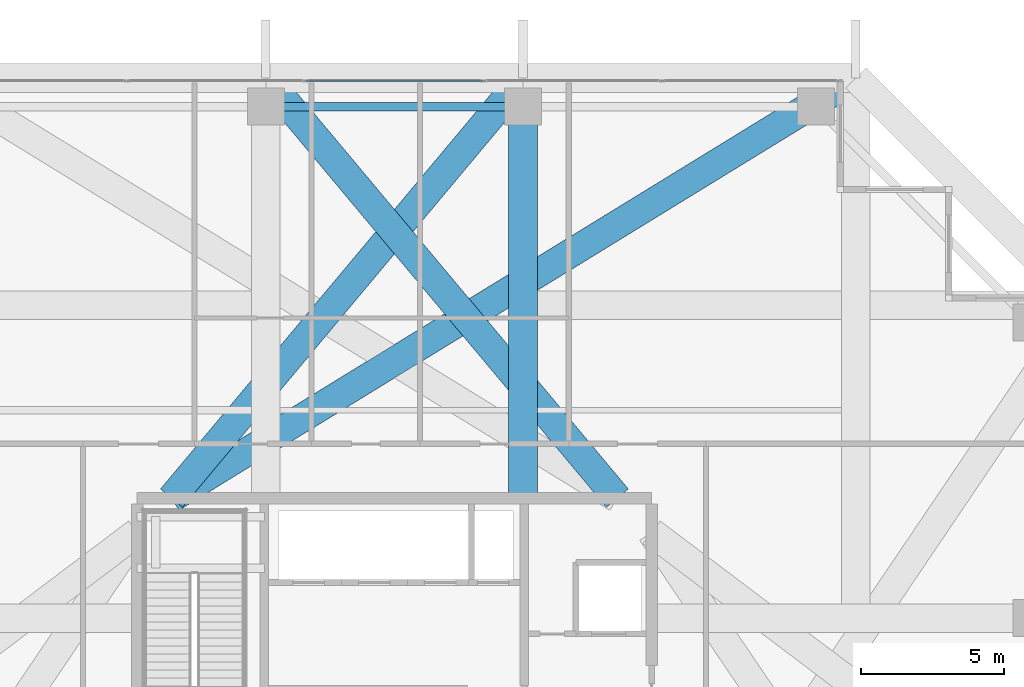
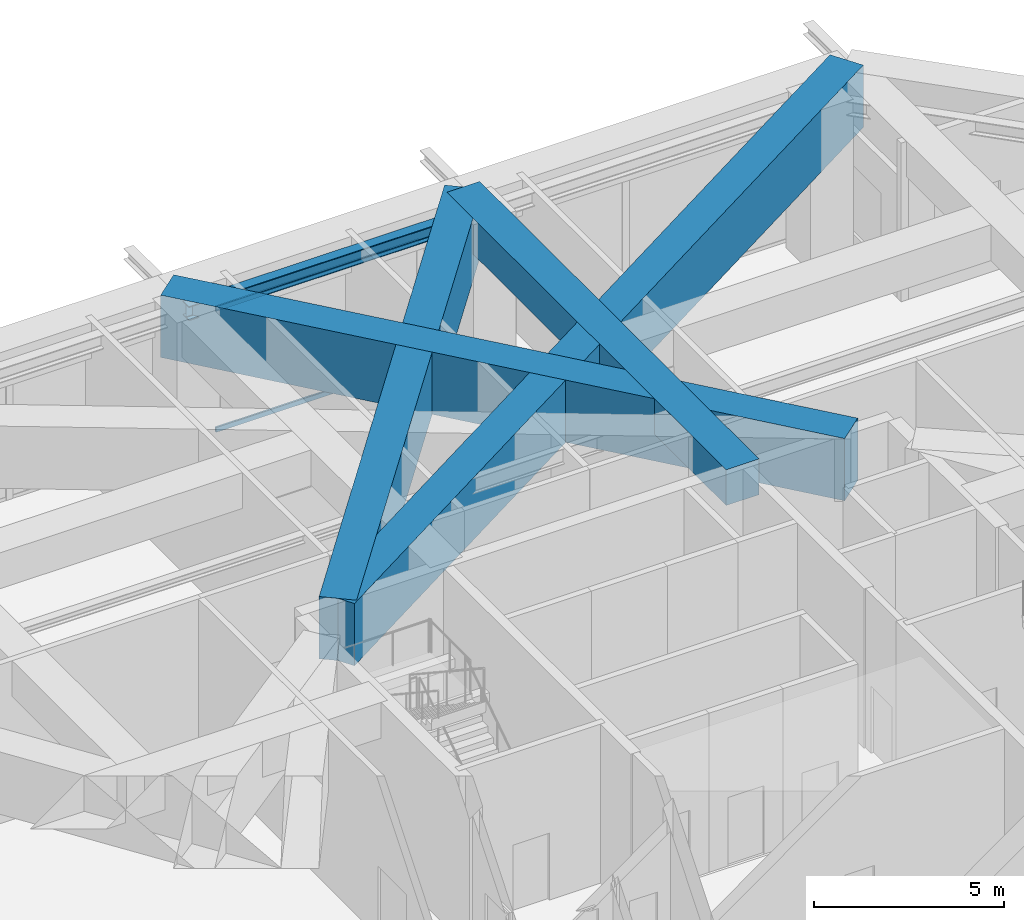
# One storey, part 23 of 38: 5 beams, 2 members, 1 element without a shape of its own.
"""IFC4 building model written with IfcOpenShell, lengths in metres."""

from ifc_helpers import new_model, si_unit, direction, frame, origin, origin_2d, place, context, subcontext, project, spatial, rectangle, hollow_rectangle, i_section, extrude, source, transform, mapped, material, layer, layer_set, material_profile, profile_set, type_object, element, aggregate, save


model = new_model("IFC4")

# Units and contexts
model_context = context("Model", 3, precision=1e-05, world=origin(), true_north=direction((0.0, 1.0)))
body_context = subcontext(model_context, "Body", "Model", "MODEL_VIEW")
ifc_project = project(units=[si_unit("LENGTHUNIT", "METRE"), si_unit("AREAUNIT", "SQUARE_METRE"), si_unit("VOLUMEUNIT", "CUBIC_METRE"), si_unit("PLANEANGLEUNIT", "RADIAN"), si_unit("MASSUNIT", "GRAM", prefix="KILO")], contexts=[model_context])

# Site, building, storey
site_placement = place(None, origin())
site = spatial("IfcSite", under=ifc_project, at=site_placement, CompositionType="ELEMENT")
building_placement = place(site_placement, origin())
building = spatial("IfcBuilding", under=site, at=building_placement, Name="Serunith Strait Residences", CompositionType="ELEMENT")
storey_placement = place(building_placement, frame((0.0, 0.0, 204.89990234375)))
storey = spatial("IfcBuildingStorey", under=building, at=storey_placement, Name="L51", CompositionType="ELEMENT", Elevation=204.89990234375)

# Beams
ifc_material_1 = material(Name="Steel S355J2", Category="steel")
ifc_material_profile_1 = material_profile(ifc_material_1, i_section(OverallWidth=0.300048828125, OverallDepth=0.449951171875, WebThickness=0.013916015625, FlangeThickness=0.02587890625, FilletRadius=0.027099609375, at=origin_2d()), Name="HEB 450")
ifc_profile_set_1 = profile_set([ifc_material_profile_1], Name="Steel S355J2")
beam_type_1 = type_object("IfcBeamType", Name="BM-HEB450", PredefinedType="BEAM", material=ifc_profile_set_1)
shared_shape_1 = source(origin(), body_context, "Body", "SweptSolid", [
    extrude(i_section(OverallWidth=0.300048828125, OverallDepth=0.449951171875, WebThickness=0.013916015625, FlangeThickness=0.02587890625, FilletRadius=0.027099609375, at=origin_2d()), origin(), (0.0, 0.0, 1.0), 9.0),
])
beam_1_placement = place(storey_placement, frame((36.89990234375, 47.300048828125, 4.882080078125), z_axis=(-1.0, 0.0, 0.0), x_axis=(0.0, -1.0, 0.0)))
element("IfcBeam", 1, at=beam_1_placement, inside=storey, type_object=beam_type_1, Name="L51 Perimeter Ring Beam 10", PredefinedType="BEAM", context=body_context, shape_type="MappedRepresentation", body=[
    mapped(shared_shape_1, transform((0.0, 0.0, 0.0), scale=1.0)),
])
ifc_material_2 = material(Name="Concrete C80/95", Category="concrete")
ifc_material_profile_2 = material_profile(ifc_material_2, rectangle(XDim=1.0, YDim=1.14990234375, at=origin_2d()), Name="RC 1000x1150")
ifc_profile_set_2 = profile_set([ifc_material_profile_2], Name="Concrete C80/95")
beam_type_2 = type_object("IfcBeamType", Name="BM-XFER-1000x1150", PredefinedType="BEAM", material=ifc_profile_set_2)
shared_shape_2 = source(origin(), body_context, "Body", "SweptSolid", [
    extrude(rectangle(XDim=1.0, YDim=1.14990234375, at=origin_2d()), origin(), (0.0, 0.0, 1.0), 14.699951171875),
])
beam_2_placement = place(storey_placement, frame((36.89990234375, 33.60009765625, 4.53515625), z_axis=(0.0, 1.0, 0.0), x_axis=(-1.0, 0.0, 0.0)))
element("IfcBeam", 2, at=beam_2_placement, inside=storey, type_object=beam_type_2, Name="L51 Primary Floor Girder TC-N3", PredefinedType="BEAM", context=body_context, shape_type="MappedRepresentation", body=[
    mapped(shared_shape_2, transform((0.0, 0.0, 0.0), scale=1.0)),
])
ifc_material_profile_3 = material_profile(ifc_material_2, rectangle(XDim=1.0, YDim=2.0, at=origin_2d()), Name="RC 1000x2000")
ifc_profile_set_3 = profile_set([ifc_material_profile_3], Name="Concrete C80/95")
beam_type_3 = type_object("IfcBeamType", Name="BM-XFER-1000x2000", PredefinedType="BEAM", material=ifc_profile_set_3)
shared_shape_3 = source(origin(), body_context, "Body", "SweptSolid", [
    extrude(rectangle(XDim=1.0, YDim=2.0, at=origin_2d()), origin(), (0.0, 0.0, 1.0), 28.101318359375),
])
beam_3_placement = place(storey_placement, frame((24.60009765625, 33.60009765625, 4.110107421875), z_axis=(0.852268944261, 0.523103858377, 0.0), x_axis=(-0.523103858377, 0.852268944261, 0.0)))
element("IfcBeam", 3, at=beam_3_placement, inside=storey, type_object=beam_type_3, Name="L51 Flare Transfer Girder TC-N4", PredefinedType="BEAM", context=body_context, shape_type="MappedRepresentation", body=[
    mapped(shared_shape_3, transform((0.0, 0.0, 0.0), scale=1.0)),
])
shared_shape_4 = source(origin(), body_context, "Body", "SweptSolid", [
    extrude(rectangle(XDim=1.0, YDim=2.0, at=origin_2d()), origin(), (0.0, 0.0, 1.0), 19.167236328125),
])
beam_4_placement = place(storey_placement, frame((40.199951171875, 33.60009765625, 4.110107421875), z_axis=(-0.641725384857, 0.766934502047, 0.0), x_axis=(-0.766934502047, -0.641725384857, 0.0)))
element("IfcBeam", 4, at=beam_4_placement, inside=storey, type_object=beam_type_3, Name="L51 Flare Transfer Girder TC-N2", PredefinedType="BEAM", context=body_context, shape_type="MappedRepresentation", body=[
    mapped(shared_shape_4, transform((0.0, 0.0, 0.0), scale=1.0)),
])
shared_shape_5 = source(origin(), body_context, "Body", "SweptSolid", [
    extrude(rectangle(XDim=1.0, YDim=2.0, at=origin_2d()), origin(), (0.0, 0.0, 1.0), 19.1669921875),
])
beam_5_placement = place(storey_placement, frame((24.60009765625, 33.60009765625, 4.110107421875), z_axis=(0.641717892744, 0.766940770941, 0.0), x_axis=(-0.766940770941, 0.641717892744, 0.0)))
element("IfcBeam", 5, at=beam_5_placement, inside=storey, type_object=beam_type_3, Name="L51 Flare Transfer Girder TC-N3", PredefinedType="BEAM", context=body_context, shape_type="MappedRepresentation", body=[
    mapped(shared_shape_5, transform((0.0, 0.0, 0.0), scale=1.0)),
])

# Curtain wall, members
ifc_material_3 = material(Name="Pale-Silver PVDF Aluminium", Category="aluminium")
ifc_layer = layer(ifc_material_3, 0.199951171875, Name="Pale-Silver PVDF Aluminium")
ifc_layer_set = layer_set([ifc_layer], Name="Pale-Silver PVDF Aluminium")
curtain_wall_type = type_object("IfcCurtainWallType", Name="CW-SYS3", PredefinedType="NOTDEFINED", material=ifc_layer_set)
curtain_wall_placement = place(storey_placement, origin())
curtain_wall = element("IfcCurtainWall", 6, at=curtain_wall_placement, inside=storey, type_object=curtain_wall_type, Name="L51 N Unitised Fritted Curtain Wall", PredefinedType="NOTDEFINED")
ifc_material_profile_4 = material_profile(ifc_material_3, hollow_rectangle(XDim=0.06005859375, YDim=0.159912109375, WallThickness=0.00341796875, InnerFilletRadius=0.00537109375, OuterFilletRadius=0.0087890625, at=origin_2d()), Name="ALU 160x60x3.5")
ifc_profile_set_4 = profile_set([ifc_material_profile_4], Name="Pale-Silver PVDF Aluminium")
member_type = type_object("IfcMemberType", Name="CW-SYS3-TRAN", PredefinedType="USERDEFINED", material=ifc_profile_set_4)
shared_shape_6 = source(origin(), body_context, "Body", "SweptSolid", [
    extrude(hollow_rectangle(XDim=0.06005859375, YDim=0.159912109375, WallThickness=0.00341796875, InnerFilletRadius=0.00537109375, OuterFilletRadius=0.0087890625, at=origin_2d()), origin(), (0.0, 0.0, 1.0), 6.1650390625),
])
member_1_placement = place(storey_placement, frame((35.482421875, 48.199951171875, 0.030029296875), z_axis=(-1.0, 0.0, 0.0), x_axis=(0.0, -1.0, 0.0)))
member_1 = element("IfcMember", 7, at=member_1_placement, type_object=member_type, Name="CW-3 transom 3.1", ObjectType="TRANSOM", PredefinedType="USERDEFINED", context=body_context, shape_type="MappedRepresentation", body=[
    mapped(shared_shape_6, transform((0.0, 0.0, 0.0), scale=1.0)),
])
member_2_placement = place(storey_placement, frame((35.482421875, 48.199951171875, 3.9150390625), z_axis=(-1.0, 0.0, 0.0), x_axis=(0.0, -1.0, 0.0)))
member_2 = element("IfcMember", 8, at=member_2_placement, type_object=member_type, Name="CW-3 transom 3.2", ObjectType="TRANSOM", PredefinedType="USERDEFINED", context=body_context, shape_type="MappedRepresentation", body=[
    mapped(shared_shape_6, transform((0.0, 0.0, 0.0), scale=1.0)),
])
aggregate(curtain_wall, [member_1, member_2])

save(model, "model.ifc")
